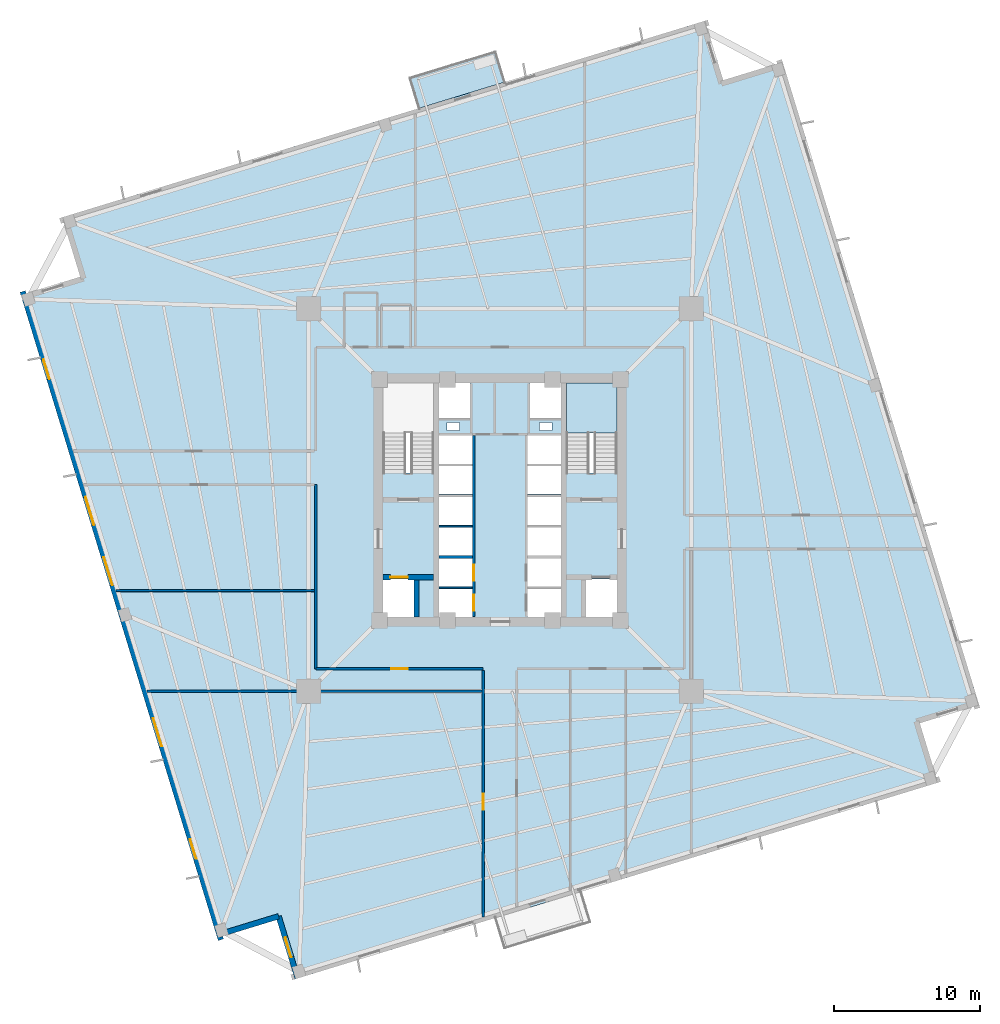
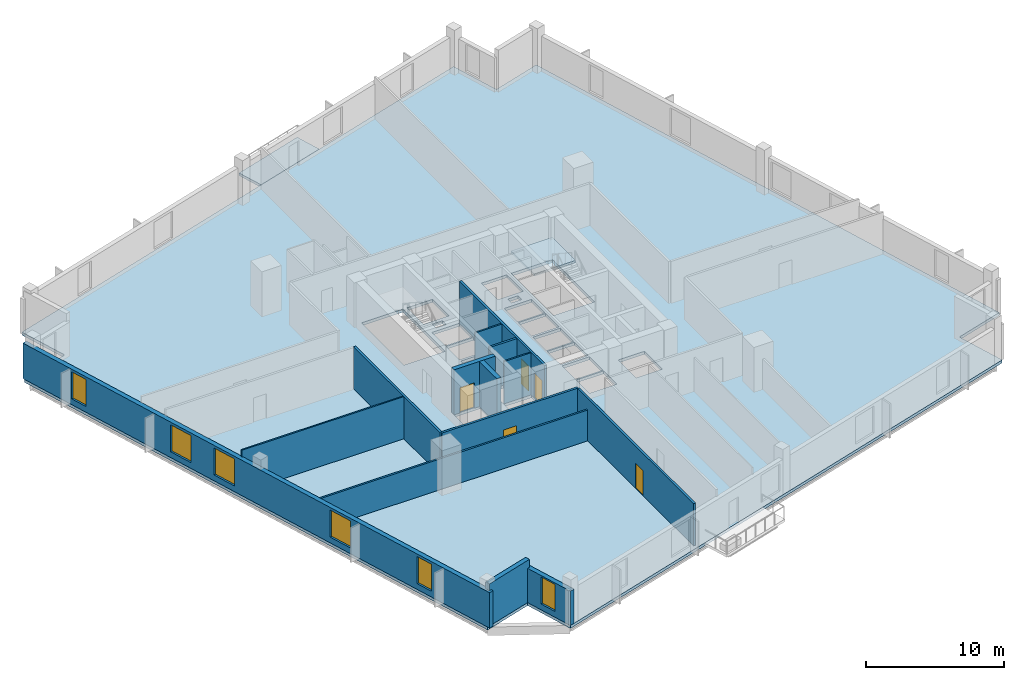
# One storey, part 2 of 8: 14 walls, 6 windows, 5 doors, 3 slabs, 11 openings, 1 element without a shape of its own.
"""IFC4 building model written with IfcOpenShell, lengths in metres."""

from ifc_helpers import new_model, si_unit, direction, frame, frame_2d, origin, place, context, subcontext, project, spatial, polyline, rectangle, outline, extrude, source, transform, mapped, material, layer, layer_set, type_object, element, fill, aggregate, save


model = new_model("IFC4")

# Units and contexts
model_context = context("Model", 3, precision=1e-05, world=origin(), true_north=direction((0.0, 1.0)))
body_context = subcontext(model_context, "Body", "Model", "MODEL_VIEW")
ifc_project = project(units=[si_unit("LENGTHUNIT", "METRE"), si_unit("AREAUNIT", "SQUARE_METRE"), si_unit("VOLUMEUNIT", "CUBIC_METRE"), si_unit("PLANEANGLEUNIT", "RADIAN"), si_unit("MASSUNIT", "GRAM", prefix="KILO"), si_unit("THERMODYNAMICTEMPERATUREUNIT", "KELVIN")], contexts=[model_context])

# Site, building, storey
site_placement = place(None, origin())
site = spatial("IfcSite", under=ifc_project, at=site_placement, CompositionType="ELEMENT")
building_placement = place(site_placement, origin())
building = spatial("IfcBuilding", under=site, at=building_placement, Name="Kosmvard Interchange Tower", CompositionType="ELEMENT")
storey_placement = place(building_placement, frame((0.0, 0.0, 115.199951171875)))
storey = spatial("IfcBuildingStorey", under=building, at=storey_placement, Name="L27", CompositionType="ELEMENT", Elevation=115.199951171875)

# Slab
ifc_material_1 = material(Name="Concrete C50/60", Category="concrete")
ifc_layer_1 = layer(ifc_material_1, 0.260009765625, Name="Concrete C50/60")
ifc_layer_set_1 = layer_set([ifc_layer_1], Name="Concrete C50/60")
slab_type_1 = type_object("IfcSlabType", Name="Mid-Rise Office Composite Slab 260 C50/60", PredefinedType="FLOOR", material=ifc_layer_set_1)
slab_1_placement = place(storey_placement, frame((0.0, 0.0, -0.260009765625)))
element("IfcSlab", 1, at=slab_1_placement, inside=storey, type_object=slab_type_1, Name="L27 Structural Floor Slab", PredefinedType="FLOOR", context=body_context, shape_type="SweptSolid", body=[
    extrude(outline(polyline([(-14.02783203125, -32.783935546875), (29.962158203125, -19.334716796875), (28.719482421875, -15.2705078125), (32.783935546875, -14.02783203125), (19.334716796875, 29.962158203125), (15.2705078125, 28.719482421875), (14.02783203125, 32.783935546875), (-29.962158203125, 19.334716796875), (-28.719482421875, 15.2705078125), (-32.783935546875, 14.02783203125), (-19.334716796875, -29.962158203125), (-15.2705078125, -28.719482421875), (-14.02783203125, -32.783935546875)]), holes=[polyline([(-8.0, 1.8349609375), (-4.5400390625, 1.8349609375), (-4.5400390625, 8.0), (-8.0, 8.0), (-8.0, 1.8349609375)]), polyline([(4.5400390625, 1.8349609375), (8.0, 1.8349609375), (8.0, 8.0), (4.5400390625, 8.0), (4.5400390625, 1.8349609375)]), polyline([(-8.0, -8.0), (-5.800048828125, -8.0), (-5.800048828125, -5.39990234375), (-8.0, -5.39990234375), (-8.0, -8.0)]), polyline([(5.800048828125, -8.0), (8.0, -8.0), (8.0, -5.39990234375), (5.800048828125, -5.39990234375), (5.800048828125, -8.0)]), polyline([(-4.179931640625, -8.0), (-1.8798828125, -8.0), (-1.8798828125, -6.06005859375), (-4.179931640625, -6.06005859375), (-4.179931640625, -8.0)]), polyline([(-4.179931640625, -5.93994140625), (-1.8798828125, -5.93994140625), (-1.8798828125, -4.0), (-4.179931640625, -4.0), (-4.179931640625, -5.93994140625)]), polyline([(1.8798828125, -8.0), (4.179931640625, -8.0), (4.179931640625, -6.06005859375), (1.8798828125, -6.06005859375), (1.8798828125, -8.0)]), polyline([(1.8798828125, -5.93994140625), (4.179931640625, -5.93994140625), (4.179931640625, -4.0), (1.8798828125, -4.0), (1.8798828125, -5.93994140625)]), polyline([(-4.179931640625, -3.800048828125), (-1.8798828125, -3.800048828125), (-1.8798828125, -1.860107421875), (-4.179931640625, -1.860107421875), (-4.179931640625, -3.800048828125)]), polyline([(-4.179931640625, -1.739990234375), (-1.8798828125, -1.739990234375), (-1.8798828125, 0.199951171875), (-4.179931640625, 0.199951171875), (-4.179931640625, -1.739990234375)]), polyline([(1.8798828125, -3.800048828125), (4.179931640625, -3.800048828125), (4.179931640625, -1.860107421875), (1.8798828125, -1.860107421875), (1.8798828125, -3.800048828125)]), polyline([(1.8798828125, -1.739990234375), (4.179931640625, -1.739990234375), (4.179931640625, 0.199951171875), (1.8798828125, 0.199951171875), (1.8798828125, -1.739990234375)]), polyline([(-4.179931640625, 0.39990234375), (-1.8798828125, 0.39990234375), (-1.8798828125, 2.340087890625), (-4.179931640625, 2.340087890625), (-4.179931640625, 0.39990234375)]), polyline([(-4.179931640625, 2.4599609375), (-1.8798828125, 2.4599609375), (-1.8798828125, 4.39990234375), (-4.179931640625, 4.39990234375), (-4.179931640625, 2.4599609375)]), polyline([(1.8798828125, 0.39990234375), (4.179931640625, 0.39990234375), (4.179931640625, 2.340087890625), (1.8798828125, 2.340087890625), (1.8798828125, 0.39990234375)]), polyline([(1.8798828125, 2.4599609375), (4.179931640625, 2.4599609375), (4.179931640625, 4.39990234375), (1.8798828125, 4.39990234375), (1.8798828125, 2.4599609375)]), polyline([(-4.179931640625, 5.60009765625), (-2.0400390625, 5.60009765625), (-2.0400390625, 8.0), (-4.179931640625, 8.0), (-4.179931640625, 5.60009765625)]), polyline([(2.0400390625, 5.60009765625), (4.179931640625, 5.60009765625), (4.179931640625, 8.0), (2.0400390625, 8.0), (2.0400390625, 5.60009765625)]), polyline([(-3.614990234375, 4.739990234375), (-2.764892578125, 4.739990234375), (-2.764892578125, 5.2900390625), (-3.614990234375, 5.2900390625), (-3.614990234375, 4.739990234375)]), polyline([(2.715087890625, 4.739990234375), (3.56494140625, 4.739990234375), (3.56494140625, 5.2900390625), (2.715087890625, 5.2900390625), (2.715087890625, 4.739990234375)])]), origin(), (0.0, 0.0, 1.0), 0.260009765625),
])

# Stair, slab
stair_type = type_object("IfcStairType", Name="Dog-Leg Core Exit Stair H4000 C50/60", PredefinedType="HALF_TURN_STAIR", material=ifc_material_1)
stair_placement = place(storey_placement, origin())
stair = element("IfcStair", 2, at=stair_placement, inside=storey, type_object=stair_type, Name="L27 Protected Exit Stair ST-2", PredefinedType="HALF_TURN_STAIR")
ifc_layer_2 = layer(ifc_material_1, 0.199951171875, Name="Concrete C50/60")
ifc_layer_set_2 = layer_set([ifc_layer_2], Name="Concrete C50/60")
slab_type_2 = type_object("IfcSlabType", Name="Stair Half-Landing Slab 200 C50/60", PredefinedType="LANDING", material=ifc_layer_set_2)
slab_2_placement = place(storey_placement, frame((0.0, 0.0, 1.800048828125)))
slab_2 = element("IfcSlab", 3, at=slab_2_placement, type_object=slab_type_2, Name="ST-2 landing 1", PredefinedType="LANDING", context=body_context, shape_type="SweptSolid", body=[
    extrude(outline(polyline([(8.0, 4.60009765625), (8.0, 8.0), (4.5400390625, 8.0), (4.5400390625, 4.60009765625), (8.0, 4.60009765625)])), origin(), (0.0, 0.0, 1.0), 0.199951171875),
])
aggregate(stair, [slab_2])

# Slab
ifc_layer_3 = layer(ifc_material_1, 0.22998046875, Name="Concrete C50/60")
ifc_layer_set_3 = layer_set([ifc_layer_3], Name="Concrete C50/60")
slab_type_3 = type_object("IfcSlabType", Name="Tree-Planter Cantilever Balcony Slab 230 C50/60", PredefinedType="FLOOR", material=ifc_layer_set_3)
slab_3_placement = place(storey_placement, frame((0.0, 0.0, -0.22998046875)))
element("IfcSlab", 4, at=slab_3_placement, inside=storey, type_object=slab_type_3, Name="L27 Outdoor Terrace Balcony Slab BAL-L27-N", PredefinedType="FLOOR", context=body_context, shape_type="SweptSolid", body=[
    extrude(outline(polyline([(-5.576416015625, 26.790283203125), (0.352783203125, 28.60302734375), (-0.29052734375, 30.706787109375), (-6.219482421875, 28.89404296875), (-5.576416015625, 26.790283203125)])), origin(), (0.0, 0.0, 1.0), 0.22998046875),
])

# Wall
ifc_material_2 = material(Name="Acoustic gypsum partition system")
ifc_layer_4 = layer(ifc_material_2, 0.14990234375, Name="Acoustic gypsum partition system")
ifc_layer_set_4 = layer_set([ifc_layer_4], Name="Acoustic gypsum partition system")
wall_type_1 = type_object("IfcWallType", Name="Acoustic Suite & Meeting Partition 150", PredefinedType="PARTITIONING", material=ifc_layer_set_4)
wall_1_placement = place(storey_placement, frame((-24.16650390625, -13.0810546875, 0.0), z_axis=(0.0, 0.0, 1.0), x_axis=(1.0, 0.0, 0.0)))
element("IfcWall", 5, at=wall_1_placement, inside=storey, type_object=wall_type_1, Name="L27 Room Partition 06.1", PredefinedType="PARTITIONING", context=body_context, shape_type="SweptSolid", body=[
    extrude(rectangle(XDim=22.92138671875, YDim=0.14990234375, at=frame_2d((11.460693359375, 0.0))), origin(), (0.0, 0.0, 1.0), 2.73193359375),
])

# Wall, openings, doors
ifc_material_3 = material(Name="Fire-rated gypsum partition system")
ifc_layer_5 = layer(ifc_material_3, 0.179931640625, Name="Fire-rated gypsum partition system")
ifc_layer_set_5 = layer_set([ifc_layer_5], Name="Fire-rated gypsum partition system")
wall_type_2 = type_object("IfcWallType", Name="Corridor & Hotel Compartment Partition 180", PredefinedType="PARTITIONING", material=ifc_layer_set_5)
wall_2_placement = place(storey_placement, frame((-1.7900390625, -7.97998046875, 0.0), z_axis=(0.0, 0.0, 1.0), x_axis=(0.0, 1.0, 0.0)))
wall_2 = element("IfcWall", 6, at=wall_2_placement, inside=storey, type_object=wall_type_2, Name="L27 West Lift Bank Front Wall", PredefinedType="PARTITIONING", context=body_context, shape_type="SweptSolid", body=[
    extrude(rectangle(XDim=12.3798828125, YDim=0.179931640625, at=frame_2d((6.18994140625, 0.0))), origin(), (0.0, 0.0, 1.0), 3.739990234375),
])
opening_1_placement = place(wall_2_placement, frame((0.39990234375, 0.0, 0.0)))
opening_1 = element("IfcOpeningElement", 7, at=opening_1_placement, cuts=wall_2, Name="Opening LD-PL-L1-L27", PredefinedType="OPENING", context=body_context, shape_type="SweptSolid", body=[
    extrude(rectangle(XDim=1.10009765625, YDim=2.199951171875, at=frame_2d((0.550048828125, 1.10009765625))), frame((0.0, 0.10009765625, 0.0), z_axis=(0.0, -1.0, 0.0), x_axis=(1.0, 0.0, 0.0)), (0.0, 0.0, 1.0), 0.199951171875),
])
opening_2_placement = place(wall_2_placement, frame((2.4599609375, 0.0, 0.0)))
opening_2 = element("IfcOpeningElement", 8, at=opening_2_placement, cuts=wall_2, Name="Opening LD-PL-L2-L27", PredefinedType="OPENING", context=body_context, shape_type="SweptSolid", body=[
    extrude(rectangle(XDim=1.10009765625, YDim=2.199951171875, at=frame_2d((0.550048828125, 1.10009765625))), frame((0.0, 0.10009765625, 0.0), z_axis=(0.0, -1.0, 0.0), x_axis=(1.0, 0.0, 0.0)), (0.0, 0.0, 1.0), 0.199951171875),
])
ifc_material_4 = material(Name="Brushed stainless steel sliding leaf", Category="steel")
door_type_1 = type_object("IfcDoorType", Name="Passenger Lift Sliding Landing Door 1100x2200 EI60", OperationType="DOUBLE_DOOR_SLIDING", PredefinedType="DOOR", material=ifc_material_4)
shared_shape_1 = source(origin(), body_context, "Body", "SweptSolid", [
    extrude(rectangle(XDim=1.10009765625, YDim=2.199951171875, at=frame_2d((0.550048828125, 1.10009765625))), frame((0.0, 0.02490234375, 0.0), z_axis=(0.0, -1.0, 0.0), x_axis=(1.0, 0.0, 0.0)), (0.0, 0.0, 1.0), 0.050048828125),
])
door_1_placement = place(opening_1_placement, frame((1.10009765625, 0.0, 0.0), z_axis=(0.0, 0.0, 1.0), x_axis=(-1.0, 0.0, 0.0)))
door_1 = element("IfcDoor", 9, at=door_1_placement, inside=storey, type_object=door_type_1, Name="Lift PL-L1 Landing Door L27", OperationType="DOUBLE_DOOR_SLIDING", OverallHeight=2.199951171875, OverallWidth=1.10009765625, PredefinedType="DOOR", context=body_context, shape_type="MappedRepresentation", body=[
    mapped(shared_shape_1, transform((0.0, 0.0, 0.0), scale=1.0)),
])
fill(opening_1, door_1)
door_2_placement = place(opening_2_placement, frame((1.10009765625, 0.0, 0.0), z_axis=(0.0, 0.0, 1.0), x_axis=(-1.0, 0.0, 0.0)))
door_2 = element("IfcDoor", 10, at=door_2_placement, inside=storey, type_object=door_type_1, Name="Lift PL-L2 Landing Door L27", OperationType="DOUBLE_DOOR_SLIDING", OverallHeight=2.199951171875, OverallWidth=1.10009765625, PredefinedType="DOOR", context=body_context, shape_type="MappedRepresentation", body=[
    mapped(shared_shape_1, transform((0.0, 0.0, 0.0), scale=1.0)),
])
fill(opening_2, door_2)

# Wall, opening, door
wall_3_placement = place(storey_placement, frame((-12.60009765625, -11.550048828125, 0.0), z_axis=(0.0, 0.0, 1.0), x_axis=(1.0, 0.0, 0.0)))
wall_3 = element("IfcWall", 11, at=wall_3_placement, inside=storey, type_object=wall_type_2, Name="L27 Corridor Wall CSW", PredefinedType="PARTITIONING", context=body_context, shape_type="SweptSolid", body=[
    extrude(rectangle(XDim=11.4501953125, YDim=0.179931640625, at=frame_2d((5.72509765625, 0.0))), origin(), (0.0, 0.0, 1.0), 3.739990234375),
])
opening_3_placement = place(wall_3_placement, frame((5.175048828125, 0.0, 0.0)))
opening_3 = element("IfcOpeningElement", 12, at=opening_3_placement, cuts=wall_3, Name="Opening L27-D11", PredefinedType="OPENING", context=body_context, shape_type="SweptSolid", body=[
    extrude(rectangle(XDim=1.10009765625, YDim=2.199951171875, at=frame_2d((0.550048828125, 1.10009765625))), frame((0.0, 0.10009765625, 0.0), z_axis=(0.0, -1.0, 0.0), x_axis=(1.0, 0.0, 0.0)), (0.0, 0.0, 1.0), 0.199951171875),
])
ifc_material_5 = material(Name="Engineered oak fire-rated timber", Category="wood")
door_type_2 = type_object("IfcDoorType", Name="Office Suite Entrance Door 1100x2200 FD30S", OperationType="NOTDEFINED", PredefinedType="DOOR", material=ifc_material_5)
door_3_placement = place(opening_3_placement, frame((1.10009765625, 0.0, 0.0), z_axis=(0.0, 0.0, 1.0), x_axis=(-1.0, 0.0, 0.0)))
door_3 = element("IfcDoor", 13, at=door_3_placement, inside=storey, type_object=door_type_2, Name="L27 West Analytics Office 2 Door", OperationType="SINGLE_SWING_LEFT", OverallHeight=2.199951171875, OverallWidth=1.10009765625, PredefinedType="DOOR", context=body_context, shape_type="MappedRepresentation", body=[
    mapped(shared_shape_1, transform((0.0, 0.0, 0.0), scale=1.0)),
])
fill(opening_3, door_3)

# Wall
wall_4_placement = place(storey_placement, frame((-12.60009765625, -11.550048828125, 0.0), z_axis=(0.0, 0.0, 1.0), x_axis=(0.0, 1.0, 0.0)))
element("IfcWall", 14, at=wall_4_placement, inside=storey, type_object=wall_type_2, Name="L27 Corridor Wall CWS", PredefinedType="PARTITIONING", context=body_context, shape_type="SweptSolid", body=[
    extrude(rectangle(XDim=12.60009765625, YDim=0.179931640625, at=frame_2d((6.300048828125, 0.0))), origin(), (0.0, 0.0, 1.0), 3.739990234375),
])

# Wall, opening, door
wall_5_placement = place(storey_placement, frame((-1.14990234375, -28.517333984375, 0.0), z_axis=(0.0, 0.0, 1.0), x_axis=(0.0, 1.0, 0.0)))
wall_5 = element("IfcWall", 15, at=wall_5_placement, inside=storey, type_object=wall_type_2, Name="L27 Corridor Wall SSW", PredefinedType="PARTITIONING", context=body_context, shape_type="SweptSolid", body=[
    extrude(rectangle(XDim=16.867431640625, YDim=0.179931640625, at=frame_2d((8.43359375, 0.0))), origin(), (0.0, 0.0, 1.0), 3.739990234375),
])
opening_4_placement = place(wall_5_placement, frame((7.33251953125, 0.0, 0.0)))
opening_4 = element("IfcOpeningElement", 16, at=opening_4_placement, cuts=wall_5, Name="Opening L27-D12", PredefinedType="OPENING", context=body_context, shape_type="SweptSolid", body=[
    extrude(rectangle(XDim=1.10009765625, YDim=2.199951171875, at=frame_2d((0.550048828125, 1.10009765625))), frame((0.0, 0.10009765625, 0.0), z_axis=(0.0, -1.0, 0.0), x_axis=(1.0, 0.0, 0.0)), (0.0, 0.0, 1.0), 0.199951171875),
])
door_4_placement = place(opening_4_placement, origin())
door_4 = element("IfcDoor", 17, at=door_4_placement, inside=storey, type_object=door_type_2, Name="L27 South-West Trading Office 3 Door", OperationType="SINGLE_SWING_RIGHT", OverallHeight=2.199951171875, OverallWidth=1.10009765625, PredefinedType="DOOR", context=body_context, shape_type="MappedRepresentation", body=[
    mapped(shared_shape_1, transform((0.0, 0.0, 0.0), scale=1.0)),
])
fill(opening_4, door_4)

# Wall, openings, windows
ifc_material_6 = material(Name="Precast concrete C45/55", Category="concrete")
ifc_layer_6 = layer(ifc_material_6, 0.3798828125, Name="Precast concrete C45/55")
ifc_layer_set_6 = layer_set([ifc_layer_6], Name="Precast concrete C45/55")
wall_type_3 = type_object("IfcWallType", Name="Lower Tower Precast Pier Wall 380 C45/55", PredefinedType="STANDARD", material=ifc_layer_set_6)
wall_6_placement = place(storey_placement, frame((-32.65771484375, 14.26513671875, 0.0), z_axis=(0.0, 0.0, 1.0), x_axis=(0.292373127906, -0.956304320851, 0.0)))
wall_6 = element("IfcWall", 18, at=wall_6_placement, inside=storey, type_object=wall_type_3, Name="L27 Precast Facade Wall F-W", PredefinedType="STANDARD", context=body_context, shape_type="SweptSolid", body=[
    extrude(rectangle(XDim=46.380126953125, YDim=0.3798828125, at=frame_2d((23.18994140625, 0.0))), origin(), (0.0, 0.0, 1.0), 3.14013671875),
])
opening_5_placement = place(wall_6_placement, frame((4.865478515625, 0.0, 0.510009765625)))
opening_5 = element("IfcOpeningElement", 19, at=opening_5_placement, cuts=wall_6, Name="Opening L27-W15", PredefinedType="OPENING", context=body_context, shape_type="SweptSolid", body=[
    extrude(rectangle(XDim=1.39990234375, YDim=2.39990234375, at=frame_2d((0.699951171875, 1.199951171875))), frame((0.0, 0.199951171875, 0.0), z_axis=(0.0, -1.0, 0.0), x_axis=(1.0, 0.0, 0.0)), (0.0, 0.0, 1.0), 0.39990234375),
])
opening_6_placement = place(wall_6_placement, frame((14.7001953125, 0.0, 0.510009765625)))
opening_6 = element("IfcOpeningElement", 20, at=opening_6_placement, cuts=wall_6, Name="Opening L27-W16", PredefinedType="OPENING", context=body_context, shape_type="SweptSolid", body=[
    extrude(rectangle(XDim=2.0, YDim=2.39990234375, at=frame_2d((1.0, 1.199951171875))), frame((0.0, 0.199951171875, 0.0), z_axis=(0.0, -1.0, 0.0), x_axis=(1.0, 0.0, 0.0)), (0.0, 0.0, 1.0), 0.39990234375),
])
opening_7_placement = place(wall_6_placement, frame((19.012451171875, 0.0, 0.510009765625)))
opening_7 = element("IfcOpeningElement", 21, at=opening_7_placement, cuts=wall_6, Name="Opening L27-W17", PredefinedType="OPENING", context=body_context, shape_type="SweptSolid", body=[
    extrude(rectangle(XDim=2.0, YDim=2.39990234375, at=frame_2d((1.0, 1.199951171875))), frame((0.0, 0.199951171875, 0.0), z_axis=(0.0, -1.0, 0.0), x_axis=(1.0, 0.0, 0.0)), (0.0, 0.0, 1.0), 0.39990234375),
])
opening_8_placement = place(wall_6_placement, frame((30.538330078125, 0.0, 0.510009765625)))
opening_8 = element("IfcOpeningElement", 22, at=opening_8_placement, cuts=wall_6, Name="Opening L27-W18", PredefinedType="OPENING", context=body_context, shape_type="SweptSolid", body=[
    extrude(rectangle(XDim=2.0, YDim=2.39990234375, at=frame_2d((1.0, 1.199951171875))), frame((0.0, 0.199951171875, 0.0), z_axis=(0.0, -1.0, 0.0), x_axis=(1.0, 0.0, 0.0)), (0.0, 0.0, 1.0), 0.39990234375),
])
opening_9_placement = place(wall_6_placement, frame((39.186767578125, 0.0, 0.510009765625)))
opening_9 = element("IfcOpeningElement", 23, at=opening_9_placement, cuts=wall_6, Name="Opening L27-W19", PredefinedType="OPENING", context=body_context, shape_type="SweptSolid", body=[
    extrude(rectangle(XDim=1.39990234375, YDim=2.39990234375, at=frame_2d((0.699951171875, 1.199951171875))), frame((0.0, 0.199951171875, 0.0), z_axis=(0.0, -1.0, 0.0), x_axis=(1.0, 0.0, 0.0)), (0.0, 0.0, 1.0), 0.39990234375),
])
ifc_material_7 = material(Name="Low-E solar-control double glazing", Category="glass")
window_type_1 = type_object("IfcWindowType", Name="Notched Corner Feature Window 1400x2400", PartitioningType="SINGLE_PANEL", PredefinedType="WINDOW", material=ifc_material_7)
shared_shape_2 = source(origin(), body_context, "Body", "SweptSolid", [
    extrude(rectangle(XDim=1.39990234375, YDim=2.39990234375, at=frame_2d((0.699951171875, 1.199951171875))), frame((0.0, 0.030029296875, 0.0), z_axis=(0.0, -1.0, 0.0), x_axis=(1.0, 0.0, 0.0)), (0.0, 0.0, 1.0), 0.06005859375),
])
window_1_placement = place(opening_5_placement, origin())
window_1 = element("IfcWindow", 24, at=window_1_placement, inside=storey, type_object=window_type_1, Name="L27 Facade Punched Window 15", OverallHeight=2.39990234375, OverallWidth=1.39990234375, PartitioningType="SINGLE_PANEL", PredefinedType="WINDOW", context=body_context, shape_type="MappedRepresentation", body=[
    mapped(shared_shape_2, transform((0.0, 0.0, 0.0), scale=1.0)),
])
fill(opening_5, window_1)
window_2_placement = place(opening_9_placement, origin())
window_2 = element("IfcWindow", 25, at=window_2_placement, inside=storey, type_object=window_type_1, Name="L27 Facade Punched Window 19", OverallHeight=2.39990234375, OverallWidth=1.39990234375, PartitioningType="SINGLE_PANEL", PredefinedType="WINDOW", context=body_context, shape_type="MappedRepresentation", body=[
    mapped(shared_shape_2, transform((0.0, 0.0, 0.0), scale=1.0)),
])
fill(opening_9, window_2)
window_type_2 = type_object("IfcWindowType", Name="Zone 2 Office Punched Window 2000x2400", PartitioningType="SINGLE_PANEL", PredefinedType="WINDOW", material=ifc_material_7)
shared_shape_3 = source(origin(), body_context, "Body", "SweptSolid", [
    extrude(rectangle(XDim=2.0, YDim=2.39990234375, at=frame_2d((1.0, 1.199951171875))), frame((0.0, 0.030029296875, 0.0), z_axis=(0.0, -1.0, 0.0), x_axis=(1.0, 0.0, 0.0)), (0.0, 0.0, 1.0), 0.06005859375),
])
window_3_placement = place(opening_6_placement, origin())
window_3 = element("IfcWindow", 26, at=window_3_placement, inside=storey, type_object=window_type_2, Name="L27 Facade Punched Window 16", OverallHeight=2.39990234375, OverallWidth=2.0, PartitioningType="SINGLE_PANEL", PredefinedType="WINDOW", context=body_context, shape_type="MappedRepresentation", body=[
    mapped(shared_shape_3, transform((0.0, 0.0, 0.0), scale=1.0)),
])
fill(opening_6, window_3)
window_4_placement = place(opening_7_placement, origin())
window_4 = element("IfcWindow", 27, at=window_4_placement, inside=storey, type_object=window_type_2, Name="L27 Facade Punched Window 17", OverallHeight=2.39990234375, OverallWidth=2.0, PartitioningType="SINGLE_PANEL", PredefinedType="WINDOW", context=body_context, shape_type="MappedRepresentation", body=[
    mapped(shared_shape_3, transform((0.0, 0.0, 0.0), scale=1.0)),
])
fill(opening_7, window_4)
window_5_placement = place(opening_8_placement, origin())
window_5 = element("IfcWindow", 28, at=window_5_placement, inside=storey, type_object=window_type_2, Name="L27 Facade Punched Window 18", OverallHeight=2.39990234375, OverallWidth=2.0, PartitioningType="SINGLE_PANEL", PredefinedType="WINDOW", context=body_context, shape_type="MappedRepresentation", body=[
    mapped(shared_shape_3, transform((0.0, 0.0, 0.0), scale=1.0)),
])
fill(opening_8, window_5)

# Wall
wall_7_placement = place(storey_placement, frame((-19.20849609375, -29.724853515625, 0.0), z_axis=(0.0, 0.0, 1.0), x_axis=(0.956312764915, 0.292345507338, 0.0)))
element("IfcWall", 29, at=wall_7_placement, inside=storey, type_object=wall_type_3, Name="L27 Precast Facade Wall N-SW1", PredefinedType="STANDARD", context=body_context, shape_type="SweptSolid", body=[
    extrude(rectangle(XDim=4.249755859375, YDim=0.3798828125, at=frame_2d((2.125, 0.0))), origin(), (0.0, 0.0, 1.0), 3.739990234375),
])

# Wall, opening, window
wall_8_placement = place(storey_placement, frame((-15.144287109375, -28.482421875, 0.0), z_axis=(0.0, 0.0, 1.0), x_axis=(0.292373601522, -0.956304176051, 0.0)))
wall_8 = element("IfcWall", 30, at=wall_8_placement, inside=storey, type_object=wall_type_3, Name="L27 Precast Facade Wall N-SW2", PredefinedType="STANDARD", context=body_context, shape_type="SweptSolid", body=[
    extrude(rectangle(XDim=4.43994140625, YDim=0.3798828125, at=frame_2d((2.219970703125, 0.0))), origin(), (0.0, 0.0, 1.0), 3.0400390625),
])
opening_10_placement = place(wall_8_placement, frame((1.52001953125, 0.0, 0.510009765625)))
opening_10 = element("IfcOpeningElement", 31, at=opening_10_placement, cuts=wall_8, Name="Opening L27-W23", PredefinedType="OPENING", context=body_context, shape_type="SweptSolid", body=[
    extrude(rectangle(XDim=1.39990234375, YDim=2.39990234375, at=frame_2d((0.699951171875, 1.199951171875))), frame((0.0, 0.199951171875, 0.0), z_axis=(0.0, -1.0, 0.0), x_axis=(1.0, 0.0, 0.0)), (0.0, 0.0, 1.0), 0.39990234375),
])
window_6_placement = place(opening_10_placement, origin())
window_6 = element("IfcWindow", 32, at=window_6_placement, inside=storey, type_object=window_type_1, Name="L27 Corner Notch Window 23", OverallHeight=2.39990234375, OverallWidth=1.39990234375, PartitioningType="SINGLE_PANEL", PredefinedType="WINDOW", context=body_context, shape_type="MappedRepresentation", body=[
    mapped(shared_shape_2, transform((0.0, 0.0, 0.0), scale=1.0)),
])
fill(opening_10, window_6)

# Walls
ifc_material_8 = material(Name="Gypsum board partition system")
ifc_layer_7 = layer(ifc_material_8, 0.1201171875, Name="Gypsum board partition system")
ifc_layer_set_7 = layer_set([ifc_layer_7], Name="Gypsum board partition system")
wall_type_4 = type_object("IfcWallType", Name="Office Cellular Partition 120", PredefinedType="PARTITIONING", material=ifc_layer_set_7)
wall_9_placement = place(storey_placement, frame((-26.270263671875, -6.199951171875, 0.0), z_axis=(0.0, 0.0, 1.0), x_axis=(1.0, 0.0, 0.0)))
element("IfcWall", 33, at=wall_9_placement, inside=storey, type_object=wall_type_4, Name="L27 Room Partition 07.1", PredefinedType="PARTITIONING", context=body_context, shape_type="SweptSolid", body=[
    extrude(rectangle(XDim=13.5751953125, YDim=0.1201171875, at=frame_2d((6.78759765625, 0.0))), origin(), (0.0, 0.0, 1.0), 3.739990234375),
])
ifc_material_9 = material(Name="Concrete blockwork masonry", Category="masonry")
ifc_layer_8 = layer(ifc_material_9, 0.179931640625, Name="Concrete blockwork masonry")
ifc_layer_set_8 = layer_set([ifc_layer_8], Name="Concrete blockwork masonry")
wall_type_5 = type_object("IfcWallType", Name="Riser & Lift Bank Divider Wall 180", PredefinedType="PARTITIONING", material=ifc_layer_set_8)
wall_10_placement = place(storey_placement, frame((-4.169921875, -3.89990234375, 0.0), z_axis=(0.0, 0.0, 1.0), x_axis=(1.0, 0.0, 0.0)))
element("IfcWall", 34, at=wall_10_placement, inside=storey, type_object=wall_type_5, Name="L27 West Bank Divider BD1", PredefinedType="PARTITIONING", context=body_context, shape_type="SweptSolid", body=[
    extrude(rectangle(XDim=2.280029296875, YDim=0.179931640625, at=frame_2d((1.14013671875, 0.0))), origin(), (0.0, 0.0, 1.0), 3.739990234375),
])
ifc_material_10 = material(Name="Fire-rated gypsum shaftwall system")
ifc_layer_9 = layer(ifc_material_10, 0.1201171875, Name="Fire-rated gypsum shaftwall system")
ifc_layer_set_9 = layer_set([ifc_layer_9], Name="Fire-rated gypsum shaftwall system")
wall_type_6 = type_object("IfcWallType", Name="Shaft & Riser Fire Partition 120 EI60", PredefinedType="PARTITIONING", material=ifc_layer_set_9)
for number, where, z_axis, x_axis, name in (
    (35, (-4.159912109375, -6.0, 0.0), (0.0, 0.0, 1.0), (1.0, 0.0, 0.0), "L27 Shaft Divider PL-L1"),
    (36, (-4.159912109375, -1.800048828125, 0.0), (0.0, 0.0, 1.0), (1.0, 0.0, 0.0), "L27 Shaft Divider PL-M1"),
):
    element("IfcWall", number, at=place(storey_placement, frame(where, z_axis=z_axis, x_axis=x_axis)), inside=storey, type_object=wall_type_6, Name=name, PredefinedType="PARTITIONING", context=body_context, shape_type="SweptSolid", body=[
        extrude(rectangle(XDim=2.260009765625, YDim=0.1201171875, at=frame_2d((1.1298828125, 0.0))), origin(), (0.0, 0.0, 1.0), 3.739990234375),
    ])

# Wall, opening, door
ifc_material_11 = material(Name="Concrete C60/75", Category="concrete")
ifc_layer_10 = layer(ifc_material_11, 0.360107421875, Name="Concrete C60/75")
ifc_layer_set_10 = layer_set([ifc_layer_10], Name="Concrete C60/75")
wall_type_7 = type_object("IfcWallType", Name="Stair & Lift Shaft Shear Wall 360 C60/75", PredefinedType="SHEAR", material=ifc_layer_set_10)
wall_11_placement = place(storey_placement, frame((-8.0, -5.280029296875, 0.0), z_axis=(0.0, 0.0, 1.0), x_axis=(1.0, 0.0, 0.0)))
wall_11 = element("IfcWall", 37, at=wall_11_placement, inside=storey, type_object=wall_type_7, Name="L27 Shaft Shear Wall SW-FF1", PredefinedType="SHEAR", context=body_context, shape_type="SweptSolid", body=[
    extrude(rectangle(XDim=3.4599609375, YDim=0.360107421875, at=frame_2d((1.72998046875, 0.0))), origin(), (0.0, 0.0, 1.0), 4.0),
])
opening_11_placement = place(wall_11_placement, frame((0.5, 0.0, 0.0)))
opening_11 = element("IfcOpeningElement", 38, at=opening_11_placement, cuts=wall_11, Name="Opening LD-FF-1-L27", PredefinedType="OPENING", context=body_context, shape_type="SweptSolid", body=[
    extrude(rectangle(XDim=1.199951171875, YDim=2.25, at=frame_2d((0.60009765625, 1.125))), frame((0.0, 0.18994140625, 0.0), z_axis=(0.0, -1.0, 0.0), x_axis=(1.0, 0.0, 0.0)), (0.0, 0.0, 1.0), 0.380126953125),
])
door_type_3 = type_object("IfcDoorType", Name="Firefighting Lift Sliding Landing Door 1200x2250 EI120", OperationType="DOUBLE_DOOR_SLIDING", PredefinedType="DOOR", material=ifc_material_4)
shared_shape_4 = source(origin(), body_context, "Body", "SweptSolid", [
    extrude(rectangle(XDim=1.199951171875, YDim=2.25, at=frame_2d((0.60009765625, 1.125))), frame((0.0, 0.02490234375, 0.0), z_axis=(0.0, -1.0, 0.0), x_axis=(1.0, 0.0, 0.0)), (0.0, 0.0, 1.0), 0.050048828125),
])
door_5_placement = place(opening_11_placement, origin())
door_5 = element("IfcDoor", 39, at=door_5_placement, inside=storey, type_object=door_type_3, Name="Lift FF-1 Landing Door L27", OperationType="DOUBLE_DOOR_SLIDING", OverallHeight=2.25, OverallWidth=1.199951171875, PredefinedType="DOOR", context=body_context, shape_type="MappedRepresentation", body=[
    mapped(shared_shape_4, transform((0.0, 0.0, 0.0), scale=1.0)),
])
fill(opening_11, door_5)

# Wall
wall_12_placement = place(storey_placement, frame((-5.7099609375, -8.0, 0.0), z_axis=(0.0, 0.0, 1.0), x_axis=(0.0, 1.0, 0.0)))
element("IfcWall", 40, at=wall_12_placement, inside=storey, type_object=wall_type_7, Name="L27 Shaft Shear Wall SW-SM1", PredefinedType="SHEAR", context=body_context, shape_type="SweptSolid", body=[
    extrude(rectangle(XDim=2.5400390625, YDim=0.360107421875, at=frame_2d((1.27001953125, 0.0))), origin(), (0.0, 0.0, 1.0), 4.0),
])

save(model, "model.ifc")
